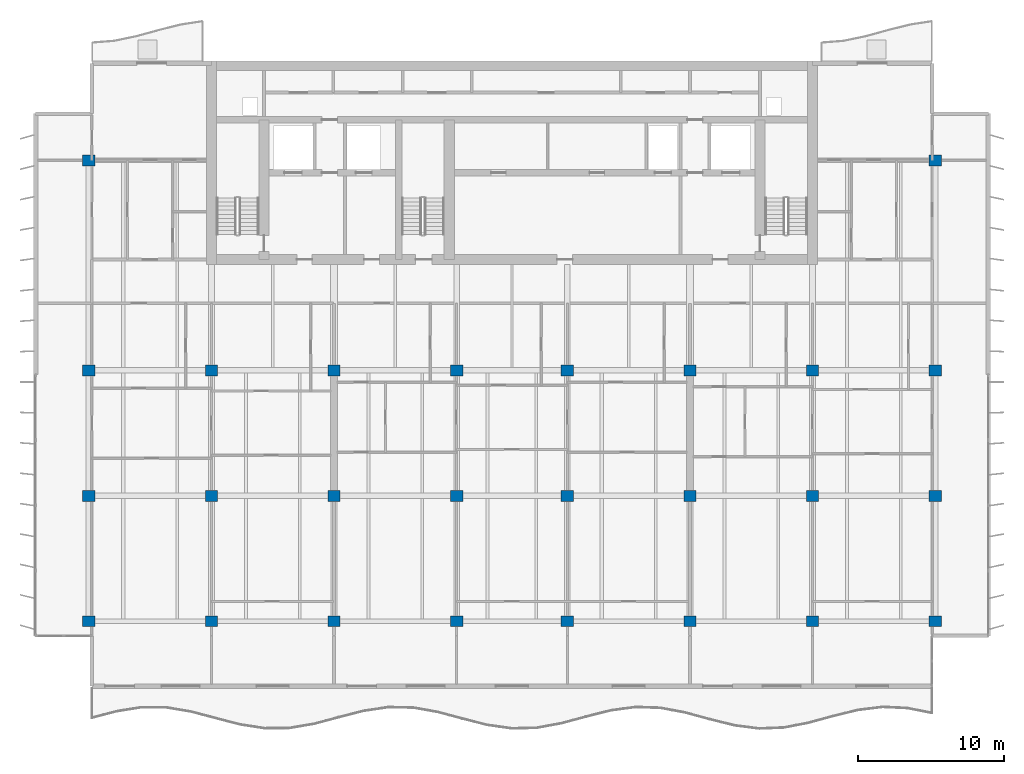
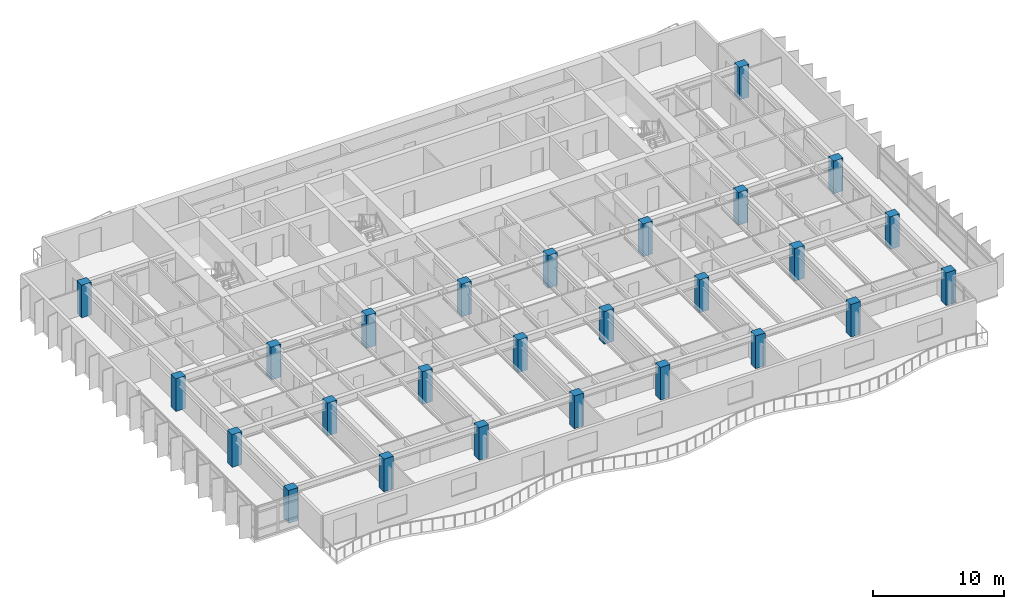
# One storey, part 1 of 17: 26 columns.
"""IFC4 building model written with IfcOpenShell, lengths in metres."""

from ifc_helpers import new_model, si_unit, direction, frame, origin, origin_2d, place, context, subcontext, project, spatial, rectangle, extrude, material, material_profile, profile_set, type_object, element, save


model = new_model("IFC4")

# Units and contexts
model_context = context("Model", 3, precision=1e-05, world=origin(), true_north=direction((0.0, 1.0)))
body_context = subcontext(model_context, "Body", "Model", "MODEL_VIEW")
ifc_project = project(units=[si_unit("LENGTHUNIT", "METRE"), si_unit("AREAUNIT", "SQUARE_METRE"), si_unit("VOLUMEUNIT", "CUBIC_METRE"), si_unit("PLANEANGLEUNIT", "RADIAN"), si_unit("MASSUNIT", "GRAM", prefix="KILO")], contexts=[model_context])

# Site, building, storey
site_placement = place(None, origin())
site = spatial("IfcSite", under=ifc_project, at=site_placement, CompositionType="ELEMENT")
building_placement = place(site_placement, origin())
building = spatial("IfcBuilding", under=site, at=building_placement, Name="Caelmar Bay Residences", CompositionType="ELEMENT")
storey_placement = place(building_placement, frame((0.0, 0.0, 208.199951171875)))
storey = spatial("IfcBuildingStorey", under=building, at=storey_placement, Name="L58", CompositionType="ELEMENT", Elevation=208.199951171875)

# Columns
ifc_material = material(Name="Concrete f'c 55 MPa (8,000 psi)", Category="concrete")
ifc_material_profile = material_profile(ifc_material, rectangle(XDim=0.85009765625, YDim=0.75, at=origin_2d()), Name="RC-COL-850X750")
ifc_profile_set = profile_set([ifc_material_profile], Name="Concrete f'c 55 MPa (8,000 psi)")
column_type = type_object("IfcColumnType", Name="COL-RC-850X750", PredefinedType="COLUMN", material=ifc_profile_set)
for number, where, z_axis, x_axis, name in (
    (1, (9.89990234375, 12.199951171875, 0.0), (0.0, 0.0, 1.0), (1.0, 0.0, 0.0), "L58 Column (9.90,12.20)"),
    (2, (18.300048828125, 12.199951171875, 0.0), (0.0, 0.0, 1.0), (1.0, 0.0, 0.0), "L58 Column (18.30,12.20)"),
    (3, (26.699951171875, 12.199951171875, 0.0), (0.0, 0.0, 1.0), (1.0, 0.0, 0.0), "L58 Column (26.70,12.20)"),
    (4, (35.10009765625, 12.199951171875, 0.0), (0.0, 0.0, 1.0), (1.0, 0.0, 0.0), "L58 Column (35.10,12.20)"),
    (5, (42.699951171875, 12.199951171875, 0.0), (0.0, 0.0, 1.0), (1.0, 0.0, 0.0), "L58 Column (42.70,12.20)"),
    (6, (51.10009765625, 12.199951171875, 0.0), (0.0, 0.0, 1.0), (1.0, 0.0, 0.0), "L58 Column (51.10,12.20)"),
    (7, (59.5, 12.199951171875, 0.0), (0.0, 0.0, 1.0), (1.0, 0.0, 0.0), "L58 Column (59.50,12.20)"),
    (8, (67.89990234375, 12.199951171875, 0.0), (0.0, 0.0, 1.0), (1.0, 0.0, 0.0), "L58 Column (67.90,12.20)"),
    (9, (9.89990234375, 20.800048828125, 0.0), (0.0, 0.0, 1.0), (1.0, 0.0, 0.0), "L58 Column (9.90,20.80)"),
    (10, (18.300048828125, 20.800048828125, 0.0), (0.0, 0.0, 1.0), (1.0, 0.0, 0.0), "L58 Column (18.30,20.80)"),
    (11, (26.699951171875, 20.800048828125, 0.0), (0.0, 0.0, 1.0), (1.0, 0.0, 0.0), "L58 Column (26.70,20.80)"),
    (12, (35.10009765625, 20.800048828125, 0.0), (0.0, 0.0, 1.0), (1.0, 0.0, 0.0), "L58 Column (35.10,20.80)"),
    (13, (42.699951171875, 20.800048828125, 0.0), (0.0, 0.0, 1.0), (1.0, 0.0, 0.0), "L58 Column (42.70,20.80)"),
    (14, (51.10009765625, 20.800048828125, 0.0), (0.0, 0.0, 1.0), (1.0, 0.0, 0.0), "L58 Column (51.10,20.80)"),
    (15, (59.5, 20.800048828125, 0.0), (0.0, 0.0, 1.0), (1.0, 0.0, 0.0), "L58 Column (59.50,20.80)"),
    (16, (67.89990234375, 20.800048828125, 0.0), (0.0, 0.0, 1.0), (1.0, 0.0, 0.0), "L58 Column (67.90,20.80)"),
    (17, (9.89990234375, 29.39990234375, 0.0), (0.0, 0.0, 1.0), (1.0, 0.0, 0.0), "L58 Column (9.90,29.40)"),
    (18, (18.300048828125, 29.39990234375, 0.0), (0.0, 0.0, 1.0), (1.0, 0.0, 0.0), "L58 Column (18.30,29.40)"),
    (19, (26.699951171875, 29.39990234375, 0.0), (0.0, 0.0, 1.0), (1.0, 0.0, 0.0), "L58 Column (26.70,29.40)"),
    (20, (35.10009765625, 29.39990234375, 0.0), (0.0, 0.0, 1.0), (1.0, 0.0, 0.0), "L58 Column (35.10,29.40)"),
    (21, (42.699951171875, 29.39990234375, 0.0), (0.0, 0.0, 1.0), (1.0, 0.0, 0.0), "L58 Column (42.70,29.40)"),
    (22, (51.10009765625, 29.39990234375, 0.0), (0.0, 0.0, 1.0), (1.0, 0.0, 0.0), "L58 Column (51.10,29.40)"),
    (23, (59.5, 29.39990234375, 0.0), (0.0, 0.0, 1.0), (1.0, 0.0, 0.0), "L58 Column (59.50,29.40)"),
    (24, (67.89990234375, 29.39990234375, 0.0), (0.0, 0.0, 1.0), (1.0, 0.0, 0.0), "L58 Column (67.90,29.40)"),
    (25, (9.89990234375, 43.800048828125, 0.0), (0.0, 0.0, 1.0), (1.0, 0.0, 0.0), "L58 Column (9.90,43.80)"),
    (26, (67.89990234375, 43.800048828125, 0.0), (0.0, 0.0, 1.0), (1.0, 0.0, 0.0), "L58 Column (67.90,43.80)"),
):
    element("IfcColumn", number, at=place(storey_placement, frame(where, z_axis=z_axis, x_axis=x_axis)), inside=storey, type_object=column_type, Name=name, PredefinedType="COLUMN", context=body_context, shape_type="SweptSolid", body=[
        extrude(rectangle(XDim=0.85009765625, YDim=0.75, at=origin_2d()), origin(), (0.0, 0.0, 1.0), 3.050048828125),
    ])

save(model, "model.ifc")
